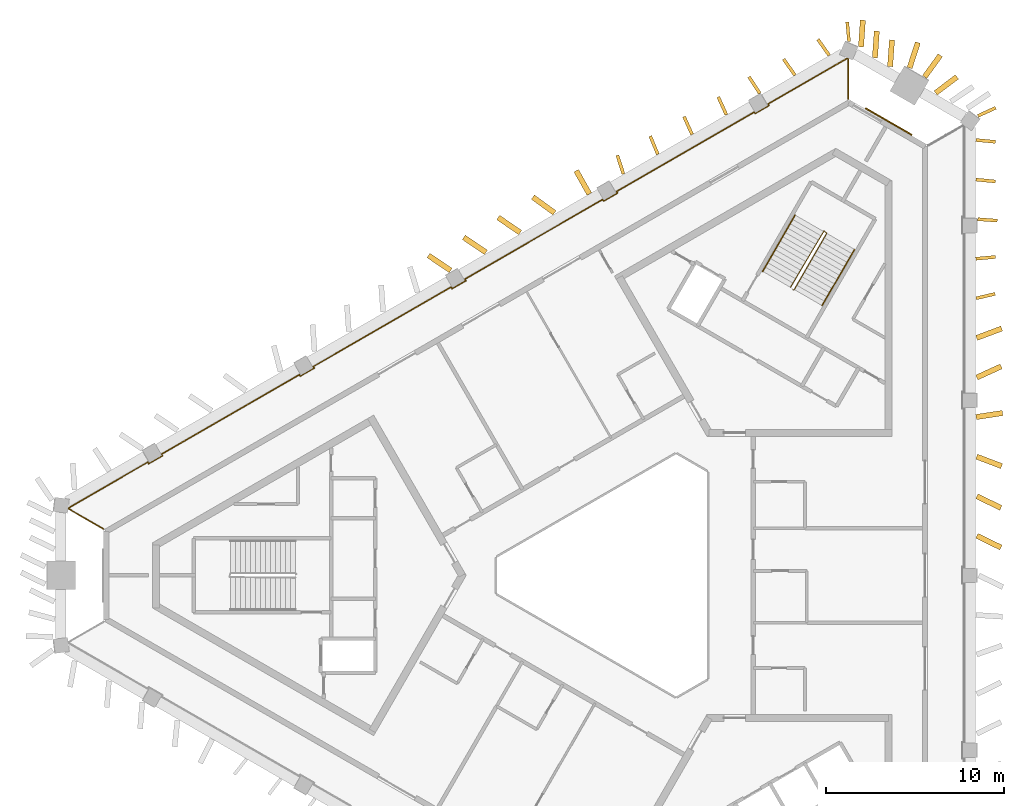
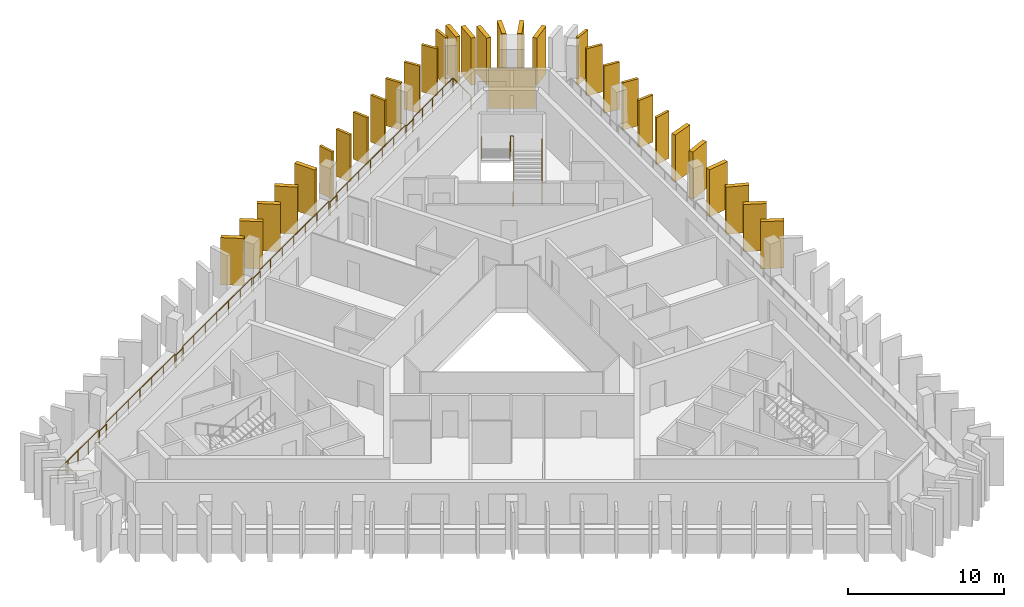
# One storey, part 9 of 10: 31 shading devices, 4 railings, 1 covering.
"""IFC4 building model written with IfcOpenShell, lengths in metres."""

from ifc_helpers import new_model, si_unit, direction, frame, frame_2d, origin, origin_2d, place, context, subcontext, project, spatial, rectangle, circle, extrude, material, layer, layer_set, type_object, element, save


model = new_model("IFC4")

# Units and contexts
model_context = context("Model", 3, precision=1e-05, world=origin(), true_north=direction((0.0, 1.0)))
body_context = subcontext(model_context, "Body", "Model", "MODEL_VIEW")
ifc_project = project(units=[si_unit("LENGTHUNIT", "METRE"), si_unit("AREAUNIT", "SQUARE_METRE"), si_unit("VOLUMEUNIT", "CUBIC_METRE"), si_unit("PLANEANGLEUNIT", "RADIAN"), si_unit("MASSUNIT", "GRAM", prefix="KILO")], contexts=[model_context])

# Site, building, storey
site_placement = place(None, origin())
site = spatial("IfcSite", under=ifc_project, at=site_placement, CompositionType="ELEMENT")
building_placement = place(site_placement, origin())
building = spatial("IfcBuilding", under=site, at=building_placement, Name="Jabali Bay Hotel Tower and Convention Centre", CompositionType="ELEMENT")
storey_placement = place(building_placement, frame((0.0, 0.0, 266.39990234375)))
storey = spatial("IfcBuildingStorey", under=building, at=storey_placement, Name="L65", CompositionType="ELEMENT", Elevation=266.39990234375)

# Railing
ifc_material_1 = material(Name="Glass", Category="glass")
railing_type_1 = type_object("IfcRailingType", Name="Loggia glass guard 1100", PredefinedType="BALUSTRADE", material=ifc_material_1)
railing_1_placement = place(storey_placement, frame((45.65673828125, 82.604736328125, 0.0)))
element("IfcRailing", 1, at=railing_1_placement, inside=storey, type_object=railing_type_1, Name="Loggia glass guard L65", PredefinedType="BALUSTRADE", context=body_context, shape_type="SweptSolid", body=[
    extrude(circle(Radius=0.02490234375, at=origin_2d()), frame((0.0, 0.0, 1.0751953125), z_axis=(-0.866035472144, 0.499982560684, 0.0), x_axis=(-0.495705140567, -0.858626418625, 0.13052619222)), (0.0, 0.0, 1.0), 2.27490234375),
    extrude(circle(Radius=0.02490234375, at=origin_2d()), frame((-1.97021484375, 1.137451171875, 1.0751953125), z_axis=(0.124034734589, 0.992277876714, 0.0), x_axis=(-0.983788801923, 0.12297360024, 0.13052619222)), (0.0, 0.0, 1.0), 0.037353515625),
    extrude(circle(Radius=0.02490234375, at=origin_2d()), frame((-1.965576171875, 1.174560546875, 1.0751953125), z_axis=(0.866023330383, 0.50000359122, 0.0), x_axis=(-0.495725991184, 0.858614380738, 0.13052619222)), (0.0, 0.0, 1.0), 5.13671875),
    extrude(circle(Radius=0.02490234375, at=origin_2d()), frame((2.48291015625, 3.742919921875, 1.0751953125), z_axis=(0.500074377092, -0.865982457891, 0.0), x_axis=(0.858573857916, 0.495796171473, 0.13052619222)), (0.0, 0.0, 1.0), 0.10009765625),
    extrude(circle(Radius=0.02490234375, at=origin_2d()), frame((2.532958984375, 3.65625, 1.0751953125), z_axis=(0.866081705922, 0.499902469156, 0.0), x_axis=(-0.495625734232, 0.858672256866, 0.13052619222)), (0.0, 0.0, 1.0), 0.900146484375),
    extrude(circle(Radius=0.02490234375, at=origin_2d()), frame((3.3125, 4.106201171875, 1.0751953125), z_axis=(-0.500074377092, 0.865982457891, 0.0), x_axis=(-0.858573857916, -0.495796171473, 0.13052619222)), (0.0, 0.0, 1.0), 0.10009765625),
    extrude(circle(Radius=0.02490234375, at=origin_2d()), frame((3.262451171875, 4.19287109375, 1.0751953125), z_axis=(0.866021023613, 0.500007586602, 0.0), x_axis=(-0.495729952384, 0.858612093703, 0.13052619222)), (0.0, 0.0, 1.0), 8.918701171875),
    extrude(circle(Radius=0.02490234375, at=origin_2d()), frame((10.986328125, 8.65234375, 1.0751953125), z_axis=(0.500074377092, -0.865982457891, 0.0), x_axis=(0.858573857916, 0.495796171473, 0.13052619222)), (0.0, 0.0, 1.0), 0.10009765625),
    extrude(circle(Radius=0.02490234375, at=origin_2d()), frame((11.036376953125, 8.565673828125, 1.0751953125), z_axis=(0.865964261186, 0.500105887137, 0.0), x_axis=(-0.495827411944, 0.858555816886, 0.13052619222)), (0.0, 0.0, 1.0), 0.900146484375),
    extrude(circle(Radius=0.02490234375, at=origin_2d()), frame((11.81591796875, 9.015869140625, 1.0751953125), z_axis=(-0.501132629342, 0.865370491644, 0.0), x_axis=(-0.857967127125, -0.496845370228, 0.13052619222)), (0.0, 0.0, 1.0), 0.099853515625),
    extrude(circle(Radius=0.02490234375, at=origin_2d()), frame((11.765869140625, 9.102294921875, 1.0751953125), z_axis=(0.866027866997, 0.499995733566, 0.0), x_axis=(-0.495718200753, 0.858618878541, 0.13052619222)), (0.0, 0.0, 1.0), 8.9189453125),
    extrude(circle(Radius=0.02490234375, at=origin_2d()), frame((19.489990234375, 13.561767578125, 1.0751953125), z_axis=(0.4982416694, -0.867038199201, 0.0), x_axis=(0.859620567213, 0.493979142849, 0.13052619222)), (0.0, 0.0, 1.0), 0.099853515625),
    extrude(circle(Radius=0.02490234375, at=origin_2d()), frame((19.539794921875, 13.47509765625, 1.0751953125), z_axis=(0.865964261186, 0.500105887137, 0.0), x_axis=(-0.495827411944, 0.858555816886, 0.13052619222)), (0.0, 0.0, 1.0), 0.900146484375),
    extrude(circle(Radius=0.02490234375, at=origin_2d()), frame((20.3193359375, 13.92529296875, 1.0751953125), z_axis=(-0.501132629342, 0.865370491644, 0.0), x_axis=(-0.857967127125, -0.496845370228, 0.13052619222)), (0.0, 0.0, 1.0), 0.099853515625),
    extrude(circle(Radius=0.02490234375, at=origin_2d()), frame((20.269287109375, 14.01171875, 1.0751953125), z_axis=(0.866027866997, 0.499995733566, 0.0), x_axis=(-0.495718200753, 0.858618878541, 0.13052619222)), (0.0, 0.0, 1.0), 8.9189453125),
    extrude(circle(Radius=0.02490234375, at=origin_2d()), frame((27.993408203125, 18.47119140625, 1.0751953125), z_axis=(0.499298623879, -0.866429964967, 0.0), x_axis=(0.859017536507, 0.495027054936, 0.13052619222)), (0.0, 0.0, 1.0), 0.099853515625),
    extrude(circle(Radius=0.02490234375, at=origin_2d()), frame((28.043212890625, 18.384765625, 1.0751953125), z_axis=(0.866081705922, 0.499902469156, 0.0), x_axis=(-0.495625734232, 0.858672256866, 0.13052619222)), (0.0, 0.0, 1.0), 0.900146484375),
    extrude(circle(Radius=0.02490234375, at=origin_2d()), frame((28.82275390625, 18.834716796875, 1.0751953125), z_axis=(-0.500074377092, 0.865982457891, 0.0), x_axis=(-0.858573857916, -0.495796171473, 0.13052619222)), (0.0, 0.0, 1.0), 0.10009765625),
    extrude(circle(Radius=0.02490234375, at=origin_2d()), frame((28.772705078125, 18.92138671875, 1.0751953125), z_axis=(0.866039719717, 0.499975203257, 0.0), x_axis=(-0.495697846083, 0.858630629859, 0.13052619222)), (0.0, 0.0, 1.0), 8.9189453125),
    extrude(circle(Radius=0.02490234375, at=origin_2d()), frame((36.496826171875, 23.380615234375, 1.0751953125), z_axis=(0.499298623879, -0.866429964967, 0.0), x_axis=(0.859017536507, 0.495027054936, 0.13052619222)), (0.0, 0.0, 1.0), 0.099853515625),
    extrude(circle(Radius=0.02490234375, at=origin_2d()), frame((36.546630859375, 23.294189453125, 1.0751953125), z_axis=(0.866081705922, 0.499902469156, 0.0), x_axis=(-0.495625734232, 0.858672256866, 0.13052619222)), (0.0, 0.0, 1.0), 0.900146484375),
    extrude(circle(Radius=0.02490234375, at=origin_2d()), frame((37.326171875, 23.744140625, 1.0751953125), z_axis=(-0.500074377092, 0.865982457891, 0.0), x_axis=(-0.858573857916, -0.495796171473, 0.13052619222)), (0.0, 0.0, 1.0), 0.10009765625),
    extrude(circle(Radius=0.02490234375, at=origin_2d()), frame((37.276123046875, 23.830810546875, 1.0751953125), z_axis=(0.866035212034, 0.499983011228, 0.0), x_axis=(-0.495705587256, 0.85862616074, 0.13052619222)), (0.0, 0.0, 1.0), 5.136962890625),
    extrude(circle(Radius=0.02490234375, at=origin_2d()), frame((41.724853515625, 26.399169921875, 1.0751953125), z_axis=(0.920154635629, -0.391555164097, 0.0), x_axis=(0.388205355389, 0.912282585163, 0.13052619222)), (0.0, 0.0, 1.0), 0.037353515625),
    extrude(circle(Radius=0.02490234375, at=origin_2d()), frame((41.75927734375, 26.384521484375, 1.0751953125), z_axis=(0.0, -1.0, 0.0), x_axis=(0.991444861374, 0.0, 0.13052619222)), (0.0, 0.0, 1.0), 2.27490234375),
    extrude(circle(Radius=0.02001953125, at=origin_2d()), origin(), (0.0, 0.0, 1.0), 1.050048828125),
    extrude(circle(Radius=0.02001953125, at=origin_2d()), frame((-0.985107421875, 0.56884765625, 0.0)), (0.0, 0.0, 1.0), 1.050048828125),
    extrude(circle(Radius=0.02001953125, at=origin_2d()), frame((-1.97021484375, 1.137451171875, 0.0)), (0.0, 0.0, 1.0), 1.050048828125),
    extrude(circle(Radius=0.02001953125, at=origin_2d()), frame((-1.965576171875, 1.174560546875, 0.0)), (0.0, 0.0, 1.0), 1.050048828125),
    extrude(circle(Radius=0.02001953125, at=origin_2d()), frame((-0.853515625, 1.816650390625, 0.0)), (0.0, 0.0, 1.0), 1.050048828125),
    extrude(circle(Radius=0.02001953125, at=origin_2d()), frame((0.2587890625, 2.458740234375, 0.0)), (0.0, 0.0, 1.0), 1.050048828125),
    extrude(circle(Radius=0.02001953125, at=origin_2d()), frame((1.370849609375, 3.100830078125, 0.0)), (0.0, 0.0, 1.0), 1.050048828125),
    extrude(circle(Radius=0.02001953125, at=origin_2d()), frame((2.48291015625, 3.742919921875, 0.0)), (0.0, 0.0, 1.0), 1.050048828125),
    extrude(circle(Radius=0.02001953125, at=origin_2d()), frame((2.532958984375, 3.65625, 0.0)), (0.0, 0.0, 1.0), 1.050048828125),
    extrude(circle(Radius=0.02001953125, at=origin_2d()), frame((3.3125, 4.106201171875, 0.0)), (0.0, 0.0, 1.0), 1.050048828125),
    extrude(circle(Radius=0.02001953125, at=origin_2d()), frame((3.262451171875, 4.19287109375, 0.0)), (0.0, 0.0, 1.0), 1.050048828125),
    extrude(circle(Radius=0.02001953125, at=origin_2d()), frame((4.5498046875, 4.93603515625, 0.0)), (0.0, 0.0, 1.0), 1.050048828125),
    extrude(circle(Radius=0.02001953125, at=origin_2d()), frame((5.837158203125, 5.679443359375, 0.0)), (0.0, 0.0, 1.0), 1.050048828125),
    extrude(circle(Radius=0.02001953125, at=origin_2d()), frame((7.12451171875, 6.422607421875, 0.0)), (0.0, 0.0, 1.0), 1.050048828125),
    extrude(circle(Radius=0.02001953125, at=origin_2d()), frame((8.41162109375, 7.165771484375, 0.0)), (0.0, 0.0, 1.0), 1.050048828125),
    extrude(circle(Radius=0.02001953125, at=origin_2d()), frame((9.698974609375, 7.9091796875, 0.0)), (0.0, 0.0, 1.0), 1.050048828125),
    extrude(circle(Radius=0.02001953125, at=origin_2d()), frame((10.986328125, 8.65234375, 0.0)), (0.0, 0.0, 1.0), 1.050048828125),
    extrude(circle(Radius=0.02001953125, at=origin_2d()), frame((11.036376953125, 8.565673828125, 0.0)), (0.0, 0.0, 1.0), 1.050048828125),
    extrude(circle(Radius=0.02001953125, at=origin_2d()), frame((11.81591796875, 9.015869140625, 0.0)), (0.0, 0.0, 1.0), 1.050048828125),
    extrude(circle(Radius=0.02001953125, at=origin_2d()), frame((11.765869140625, 9.102294921875, 0.0)), (0.0, 0.0, 1.0), 1.050048828125),
    extrude(circle(Radius=0.02001953125, at=origin_2d()), frame((13.05322265625, 9.845458984375, 0.0)), (0.0, 0.0, 1.0), 1.050048828125),
    extrude(circle(Radius=0.02001953125, at=origin_2d()), frame((14.340576171875, 10.5888671875, 0.0)), (0.0, 0.0, 1.0), 1.050048828125),
    extrude(circle(Radius=0.02001953125, at=origin_2d()), frame((15.6279296875, 11.33203125, 0.0)), (0.0, 0.0, 1.0), 1.050048828125),
    extrude(circle(Radius=0.02001953125, at=origin_2d()), frame((16.915283203125, 12.0751953125, 0.0)), (0.0, 0.0, 1.0), 1.050048828125),
    extrude(circle(Radius=0.02001953125, at=origin_2d()), frame((18.20263671875, 12.818603515625, 0.0)), (0.0, 0.0, 1.0), 1.050048828125),
    extrude(circle(Radius=0.02001953125, at=origin_2d()), frame((19.489990234375, 13.561767578125, 0.0)), (0.0, 0.0, 1.0), 1.050048828125),
    extrude(circle(Radius=0.02001953125, at=origin_2d()), frame((19.539794921875, 13.47509765625, 0.0)), (0.0, 0.0, 1.0), 1.050048828125),
    extrude(circle(Radius=0.02001953125, at=origin_2d()), frame((20.3193359375, 13.92529296875, 0.0)), (0.0, 0.0, 1.0), 1.050048828125),
    extrude(circle(Radius=0.02001953125, at=origin_2d()), frame((20.269287109375, 14.01171875, 0.0)), (0.0, 0.0, 1.0), 1.050048828125),
    extrude(circle(Radius=0.02001953125, at=origin_2d()), frame((21.556640625, 14.7548828125, 0.0)), (0.0, 0.0, 1.0), 1.050048828125),
    extrude(circle(Radius=0.02001953125, at=origin_2d()), frame((22.843994140625, 15.498291015625, 0.0)), (0.0, 0.0, 1.0), 1.050048828125),
    extrude(circle(Radius=0.02001953125, at=origin_2d()), frame((24.13134765625, 16.241455078125, 0.0)), (0.0, 0.0, 1.0), 1.050048828125),
    extrude(circle(Radius=0.02001953125, at=origin_2d()), frame((25.418701171875, 16.984619140625, 0.0)), (0.0, 0.0, 1.0), 1.050048828125),
    extrude(circle(Radius=0.02001953125, at=origin_2d()), frame((26.7060546875, 17.72802734375, 0.0)), (0.0, 0.0, 1.0), 1.050048828125),
    extrude(circle(Radius=0.02001953125, at=origin_2d()), frame((27.993408203125, 18.47119140625, 0.0)), (0.0, 0.0, 1.0), 1.050048828125),
    extrude(circle(Radius=0.02001953125, at=origin_2d()), frame((28.043212890625, 18.384765625, 0.0)), (0.0, 0.0, 1.0), 1.050048828125),
    extrude(circle(Radius=0.02001953125, at=origin_2d()), frame((28.82275390625, 18.834716796875, 0.0)), (0.0, 0.0, 1.0), 1.050048828125),
    extrude(circle(Radius=0.02001953125, at=origin_2d()), frame((28.772705078125, 18.92138671875, 0.0)), (0.0, 0.0, 1.0), 1.050048828125),
    extrude(circle(Radius=0.02001953125, at=origin_2d()), frame((30.06005859375, 19.66455078125, 0.0)), (0.0, 0.0, 1.0), 1.050048828125),
    extrude(circle(Radius=0.02001953125, at=origin_2d()), frame((31.347412109375, 20.40771484375, 0.0)), (0.0, 0.0, 1.0), 1.050048828125),
    extrude(circle(Radius=0.02001953125, at=origin_2d()), frame((32.634765625, 21.15087890625, 0.0)), (0.0, 0.0, 1.0), 1.050048828125),
    extrude(circle(Radius=0.02001953125, at=origin_2d()), frame((33.922119140625, 21.894287109375, 0.0)), (0.0, 0.0, 1.0), 1.050048828125),
    extrude(circle(Radius=0.02001953125, at=origin_2d()), frame((35.20947265625, 22.637451171875, 0.0)), (0.0, 0.0, 1.0), 1.050048828125),
    extrude(circle(Radius=0.02001953125, at=origin_2d()), frame((36.496826171875, 23.380615234375, 0.0)), (0.0, 0.0, 1.0), 1.050048828125),
    extrude(circle(Radius=0.02001953125, at=origin_2d()), frame((36.546630859375, 23.294189453125, 0.0)), (0.0, 0.0, 1.0), 1.050048828125),
    extrude(circle(Radius=0.02001953125, at=origin_2d()), frame((37.326171875, 23.744140625, 0.0)), (0.0, 0.0, 1.0), 1.050048828125),
    extrude(circle(Radius=0.02001953125, at=origin_2d()), frame((37.276123046875, 23.830810546875, 0.0)), (0.0, 0.0, 1.0), 1.050048828125),
    extrude(circle(Radius=0.02001953125, at=origin_2d()), frame((38.38818359375, 24.472900390625, 0.0)), (0.0, 0.0, 1.0), 1.050048828125),
    extrude(circle(Radius=0.02001953125, at=origin_2d()), frame((39.50048828125, 25.114990234375, 0.0)), (0.0, 0.0, 1.0), 1.050048828125),
    extrude(circle(Radius=0.02001953125, at=origin_2d()), frame((40.61279296875, 25.757080078125, 0.0)), (0.0, 0.0, 1.0), 1.050048828125),
    extrude(circle(Radius=0.02001953125, at=origin_2d()), frame((41.724853515625, 26.399169921875, 0.0)), (0.0, 0.0, 1.0), 1.050048828125),
    extrude(circle(Radius=0.02001953125, at=origin_2d()), frame((41.75927734375, 26.384521484375, 0.0)), (0.0, 0.0, 1.0), 1.050048828125),
    extrude(circle(Radius=0.02001953125, at=origin_2d()), frame((41.75927734375, 25.2470703125, 0.0)), (0.0, 0.0, 1.0), 1.050048828125),
    extrude(circle(Radius=0.02001953125, at=origin_2d()), frame((41.75927734375, 24.109619140625, 0.0)), (0.0, 0.0, 1.0), 1.050048828125),
])

# Shading devices
ifc_material_2 = material(Name="Precast concrete C60", Category="concrete")
ifc_layer_1 = layer(ifc_material_2, 0.179931640625)
ifc_layer_set_1 = layer_set([ifc_layer_1], Name="Precast concrete C60")
shading_device_type_1 = type_object("IfcShadingDeviceType", Name="Precast fin 3680 x 1100", PredefinedType="USERDEFINED", material=ifc_layer_set_1)
for number, where, z_axis, x_axis, name in (
    (2, (94.59033203125, 95.536376953125, 0.010009765625), (0.0, 0.0, 1.0), (0.973268543284, 0.229670073484, 0.0), "Fin L65 018"),
    (3, (94.577880859375, 97.755859375, 0.010009765625), (0.0, 0.0, 1.0), (0.995790707491, 0.091656242967, 0.0), "Fin L65 019"),
):
    element("IfcShadingDevice", number, at=place(storey_placement, frame(where, z_axis=z_axis, x_axis=x_axis)), inside=storey, type_object=shading_device_type_1, Name=name, ObjectType="FIN", PredefinedType="USERDEFINED", context=body_context, shape_type="SweptSolid", body=[
        extrude(rectangle(XDim=1.10009765625, YDim=0.179931640625, at=frame_2d((0.550048828125, 0.0))), origin(), (0.0, 0.0, 1.0), 3.68017578125),
    ])
shading_device_1_placement = place(storey_placement, frame((94.68408203125, 99.975341796875, 0.010009765625), z_axis=(0.0, 0.0, 1.0), x_axis=(0.997080541598, -0.076357013871, 0.0)))
element("IfcShadingDevice", 4, at=shading_device_1_placement, inside=storey, type_object=shading_device_type_1, Name="Fin L65 020", ObjectType="FIN", PredefinedType="USERDEFINED", context=body_context, shape_type="SweptSolid", body=[
    extrude(rectangle(XDim=1.099853515625, YDim=0.179931640625, at=frame_2d((0.5498046875, 0.0))), origin(), (0.0, 0.0, 1.0), 3.68017578125),
])
shading_device_2_placement = place(storey_placement, frame((94.578369140625, 102.195068359375, 0.010009765625), z_axis=(0.0, 0.0, 1.0), x_axis=(0.995393156894, -0.095877334176, 0.0)))
element("IfcShadingDevice", 5, at=shading_device_2_placement, inside=storey, type_object=shading_device_type_1, Name="Fin L65 021", ObjectType="FIN", PredefinedType="USERDEFINED", context=body_context, shape_type="SweptSolid", body=[
    extrude(rectangle(XDim=1.10009765625, YDim=0.179931640625, at=frame_2d((0.550048828125, 0.0))), origin(), (0.0, 0.0, 1.0), 3.68017578125),
])
shading_device_3_placement = place(storey_placement, frame((94.578125, 104.41455078125, 0.010009765625), z_axis=(0.0, 0.0, 1.0), x_axis=(0.995686922916, -0.092776891168, 0.0)))
element("IfcShadingDevice", 6, at=shading_device_3_placement, inside=storey, type_object=shading_device_type_1, Name="Fin L65 022", ObjectType="FIN", PredefinedType="USERDEFINED", context=body_context, shape_type="SweptSolid", body=[
    extrude(rectangle(XDim=1.099853515625, YDim=0.179931640625, at=frame_2d((0.5498046875, 0.0))), origin(), (0.0, 0.0, 1.0), 3.68017578125),
])
for number, where, z_axis, x_axis, name in (
    (7, (86.3544921875, 109.162109375, 0.010009765625), (0.0, 0.0, 1.0), (-0.576779035858, 0.816900204306, 0.0), "Fin L65 031"),
    (8, (84.432373046875, 108.052490234375, 0.010009765625), (0.0, 0.0, 1.0), (-0.577031680865, 0.816721763686, 0.0), "Fin L65 032"),
):
    element("IfcShadingDevice", number, at=place(storey_placement, frame(where, z_axis=z_axis, x_axis=x_axis)), inside=storey, type_object=shading_device_type_1, Name=name, ObjectType="FIN", PredefinedType="USERDEFINED", context=body_context, shape_type="SweptSolid", body=[
        extrude(rectangle(XDim=1.10009765625, YDim=0.179931640625, at=frame_2d((0.550048828125, 0.0))), origin(), (0.0, 0.0, 1.0), 3.68017578125),
    ])
for number, where, z_axis, x_axis, name in (
    (9, (82.458251953125, 107.03271484375, 0.010009765625), (0.0, 0.0, 1.0), (-0.544051752089, 0.839051661728, 0.0), "Fin L65 033"),
    (10, (80.587890625, 105.833251953125, 0.010009765625), (0.0, 0.0, 1.0), (-0.415507960568, 0.909589541884, 0.0), "Fin L65 034"),
):
    element("IfcShadingDevice", number, at=place(storey_placement, frame(where, z_axis=z_axis, x_axis=x_axis)), inside=storey, type_object=shading_device_type_1, Name=name, ObjectType="FIN", PredefinedType="USERDEFINED", context=body_context, shape_type="SweptSolid", body=[
        extrude(rectangle(XDim=1.099853515625, YDim=0.179931640625, at=frame_2d((0.5498046875, 0.0))), origin(), (0.0, 0.0, 1.0), 3.68017578125),
    ])
shading_device_4_placement = place(storey_placement, frame((78.66552734375, 104.72412109375, 0.010009765625), z_axis=(0.0, 0.0, 1.0), x_axis=(-0.408546094199, 0.912737688996, 0.0)))
element("IfcShadingDevice", 11, at=shading_device_4_placement, inside=storey, type_object=shading_device_type_1, Name="Fin L65 035", ObjectType="FIN", PredefinedType="USERDEFINED", context=body_context, shape_type="SweptSolid", body=[
    extrude(rectangle(XDim=1.10009765625, YDim=0.179931640625, at=frame_2d((0.550048828125, 0.0))), origin(), (0.0, 0.0, 1.0), 3.68017578125),
])
shading_device_5_placement = place(storey_placement, frame((76.7421875, 103.616455078125, 0.010009765625), z_axis=(0.0, 0.0, 1.0), x_axis=(-0.384442009337, 0.923149143669, 0.0)))
element("IfcShadingDevice", 12, at=shading_device_5_placement, inside=storey, type_object=shading_device_type_1, Name="Fin L65 036", ObjectType="FIN", PredefinedType="USERDEFINED", context=body_context, shape_type="SweptSolid", body=[
    extrude(rectangle(XDim=1.099853515625, YDim=0.179931640625, at=frame_2d((0.5498046875, 0.0))), origin(), (0.0, 0.0, 1.0), 3.68017578125),
])
shading_device_6_placement = place(storey_placement, frame((74.816650390625, 102.512451171875, 0.010009765625), z_axis=(0.0, 0.0, 1.0), x_axis=(-0.312430800017, 0.949940521928, 0.0)))
element("IfcShadingDevice", 13, at=shading_device_6_placement, inside=storey, type_object=shading_device_type_1, Name="Fin L65 037", ObjectType="FIN", PredefinedType="USERDEFINED", context=body_context, shape_type="SweptSolid", body=[
    extrude(rectangle(XDim=1.100341796875, YDim=0.179931640625, at=frame_2d((0.55029296875, 0.0))), origin(), (0.0, 0.0, 1.0), 3.68017578125),
])
shading_device_7_placement = place(storey_placement, frame((94.693359375, 105.764404296875, 0.010009765625), z_axis=(0.0, 0.0, 1.0), x_axis=(0.908348813049, 0.418213383134, 0.0)))
element("IfcShadingDevice", 14, at=shading_device_7_placement, inside=storey, type_object=shading_device_type_1, Name="Fin L65 094", ObjectType="FIN", PredefinedType="USERDEFINED", context=body_context, shape_type="SweptSolid", body=[
    extrude(rectangle(XDim=1.099853515625, YDim=0.179931640625, at=frame_2d((0.5498046875, 0.0))), origin(), (0.0, 0.0, 1.0), 3.68017578125),
])
shading_device_8_placement = place(storey_placement, frame((87.4658203125, 109.93701171875, 0.010009765625), z_axis=(0.0, 0.0, 1.0), x_axis=(-0.090995991991, 0.995851258694, 0.0)))
element("IfcShadingDevice", 15, at=shading_device_8_placement, inside=storey, type_object=shading_device_type_1, Name="Fin L65 095", ObjectType="FIN", PredefinedType="USERDEFINED", context=body_context, shape_type="SweptSolid", body=[
    extrude(rectangle(XDim=1.10009765625, YDim=0.179931640625, at=frame_2d((0.550048828125, 0.0))), origin(), (0.0, 0.0, 1.0), 3.68017578125),
])
ifc_layer_2 = layer(ifc_material_2, 0.300048828125)
ifc_layer_set_2 = layer_set([ifc_layer_2], Name="Precast concrete C60")
shading_device_type_2 = type_object("IfcShadingDeviceType", Name="Precast fin 3680 x 1500", PredefinedType="USERDEFINED", material=ifc_layer_set_2)
for number, where, z_axis, x_axis, name in (
    (16, (94.635498046875, 82.219482421875, 0.010009765625), (0.0, 0.0, 1.0), (0.899129499022, -0.43768269784, 0.0), "Fin L65 012"),
    (17, (94.63525390625, 84.43896484375, 0.010009765625), (0.0, 0.0, 1.0), (0.89928872882, -0.437355441509, 0.0), "Fin L65 013"),
):
    element("IfcShadingDevice", number, at=place(storey_placement, frame(where, z_axis=z_axis, x_axis=x_axis)), inside=storey, type_object=shading_device_type_2, Name=name, ObjectType="FIN", PredefinedType="USERDEFINED", context=body_context, shape_type="SweptSolid", body=[
        extrude(rectangle(XDim=1.5, YDim=0.300048828125, at=frame_2d((0.75, 0.0))), origin(), (0.0, 0.0, 1.0), 3.68017578125),
    ])
shading_device_9_placement = place(storey_placement, frame((94.623046875, 86.658447265625, 0.010009765625), z_axis=(0.0, 0.0, 1.0), x_axis=(0.93503847022, -0.354546272309, 0.0)))
element("IfcShadingDevice", 18, at=shading_device_9_placement, inside=storey, type_object=shading_device_type_2, Name="Fin L65 014", ObjectType="FIN", PredefinedType="USERDEFINED", context=body_context, shape_type="SweptSolid", body=[
    extrude(rectangle(XDim=1.499755859375, YDim=0.300048828125, at=frame_2d((0.75, 0.0))), origin(), (0.0, 0.0, 1.0), 3.68017578125),
])
for number, where, z_axis, x_axis, name in (
    (19, (94.592529296875, 88.8779296875, 0.010009765625), (0.0, 0.0, 1.0), (0.988501176847, 0.151213171956, 0.0), "Fin L65 015"),
    (20, (94.632080078125, 91.097412109375, 0.010009765625), (0.0, 0.0, 1.0), (0.909869717116, 0.414894080309, 0.0), "Fin L65 016"),
):
    element("IfcShadingDevice", number, at=place(storey_placement, frame(where, z_axis=z_axis, x_axis=x_axis)), inside=storey, type_object=shading_device_type_2, Name=name, ObjectType="FIN", PredefinedType="USERDEFINED", context=body_context, shape_type="SweptSolid", body=[
        extrude(rectangle(XDim=1.5, YDim=0.300048828125, at=frame_2d((0.75, 0.0))), origin(), (0.0, 0.0, 1.0), 3.68017578125),
    ])
shading_device_10_placement = place(storey_placement, frame((94.622314453125, 93.31689453125, 0.010009765625), z_axis=(0.0, 0.0, 1.0), x_axis=(0.936422777192, 0.350873741332, 0.0)))
element("IfcShadingDevice", 21, at=shading_device_10_placement, inside=storey, type_object=shading_device_type_2, Name="Fin L65 017", ObjectType="FIN", PredefinedType="USERDEFINED", context=body_context, shape_type="SweptSolid", body=[
    extrude(rectangle(XDim=1.500244140625, YDim=0.300048828125, at=frame_2d((0.75, 0.0))), origin(), (0.0, 0.0, 1.0), 3.68017578125),
])
for number, where, z_axis, x_axis, name in (
    (22, (92.321533203125, 107.05224609375, 0.010009765625), (0.0, 0.0, 1.0), (0.79868946396, 0.601743417213, 0.0), "Fin L65 025"),
    (23, (91.704833984375, 107.950439453125, 0.010009765625), (0.0, 0.0, 1.0), (0.586399358038, 0.810022094076, 0.0), "Fin L65 026"),
    (24, (90.861328125, 108.45556640625, 0.010009765625), (0.0, 0.0, 1.0), (0.309089752708, 0.951032872603, 0.0), "Fin L65 027"),
    (25, (89.770751953125, 108.532958984375, 0.010009765625), (0.0, 0.0, 1.0), (0.070472092405, 0.99751375138, 0.0), "Fin L65 028"),
):
    element("IfcShadingDevice", number, at=place(storey_placement, frame(where, z_axis=z_axis, x_axis=x_axis)), inside=storey, type_object=shading_device_type_2, Name=name, ObjectType="FIN", PredefinedType="USERDEFINED", context=body_context, shape_type="SweptSolid", body=[
        extrude(rectangle(XDim=1.5, YDim=0.300048828125, at=frame_2d((0.75, 0.0))), origin(), (0.0, 0.0, 1.0), 3.68017578125),
    ])
for number, where, z_axis, x_axis, name in (
    (26, (88.919189453125, 109.024658203125, 0.010009765625), (0.0, 0.0, 1.0), (0.070645503354, 0.99750148514, 0.0), "Fin L65 029"),
    (27, (88.13818359375, 109.63818359375, 0.010009765625), (0.0, 0.0, 1.0), (0.070645503354, 0.99750148514, 0.0), "Fin L65 030"),
):
    element("IfcShadingDevice", number, at=place(storey_placement, frame(where, z_axis=z_axis, x_axis=x_axis)), inside=storey, type_object=shading_device_type_2, Name=name, ObjectType="FIN", PredefinedType="USERDEFINED", context=body_context, shape_type="SweptSolid", body=[
        extrude(rectangle(XDim=1.499755859375, YDim=0.300048828125, at=frame_2d((0.75, 0.0))), origin(), (0.0, 0.0, 1.0), 3.68017578125),
    ])
for number, where, z_axis, x_axis, name in (
    (28, (72.90283203125, 101.38818359375, 0.010009765625), (0.0, 0.0, 1.0), (-0.491064718016, 0.871123092749, 0.0), "Fin L65 038"),
    (29, (70.951171875, 100.329833984375, 0.010009765625), (0.0, 0.0, 1.0), (-0.808855709071, 0.588007178445, 0.0), "Fin L65 039"),
    (30, (69.027099609375, 99.223388671875, 0.010009765625), (0.0, 0.0, 1.0), (-0.824231839999, 0.566252482495, 0.0), "Fin L65 040"),
    (31, (67.1044921875, 98.1142578125, 0.010009765625), (0.0, 0.0, 1.0), (-0.827667492043, 0.561218783199, 0.0), "Fin L65 041"),
    (32, (65.128662109375, 97.097900390625, 0.010009765625), (0.0, 0.0, 1.0), (-0.828452221688, 0.560059743581, 0.0), "Fin L65 042"),
):
    element("IfcShadingDevice", number, at=place(storey_placement, frame(where, z_axis=z_axis, x_axis=x_axis)), inside=storey, type_object=shading_device_type_2, Name=name, ObjectType="FIN", PredefinedType="USERDEFINED", context=body_context, shape_type="SweptSolid", body=[
        extrude(rectangle(XDim=1.5, YDim=0.300048828125, at=frame_2d((0.75, 0.0))), origin(), (0.0, 0.0, 1.0), 3.68017578125),
    ])

# Covering
ifc_material_3 = material(Name="Precast concrete C40/50", Category="concrete")
ifc_layer_3 = layer(ifc_material_3, 0.080078125)
ifc_layer_set_3 = layer_set([ifc_layer_3], Name="Precast concrete C40/50")
covering_type = type_object("IfcCoveringType", Name="Relief panel 3000 x 3100", PredefinedType="CLADDING", material=ifc_layer_set_3)
covering_placement = place(storey_placement, frame((89.691650390625, 105.44677734375, 0.10009765625), z_axis=(0.0, 0.0, 1.0), x_axis=(0.86602542465, -0.49999996386, 0.0)))
element("IfcCovering", 33, at=covering_placement, inside=storey, type_object=covering_type, Name="Relief panel L65", PredefinedType="CLADDING", context=body_context, shape_type="SweptSolid", body=[
    extrude(rectangle(XDim=3.0, YDim=0.080078125, at=origin_2d()), origin(), (0.0, 0.0, 1.0), 3.10009765625),
])

# Railings
ifc_material_4 = material(Name="Steel Q355B", Category="steel")
railing_type_2 = type_object("IfcRailingType", Name="Stair guard 1100", PredefinedType="GUARDRAIL", material=ifc_material_4)
railing_2_placement = place(storey_placement, frame((84.329833984375, 96.010009765625, 0.0)))
element("IfcRailing", 34, at=railing_2_placement, inside=storey, type_object=railing_type_2, Name="L65 ST2 stair guard 1", PredefinedType="GUARDRAIL", context=body_context, shape_type="SweptSolid", body=[
    extrude(circle(Radius=0.02392578125, at=origin_2d()), frame((0.0, 0.0, 1.076171875), z_axis=(0.455547195254, 0.122021570157, 0.88180921367), x_axis=(-0.258736085224, 0.965948051503, 0.0)), (0.0, 0.0, 1.0), 0.150146484375),
    extrude(circle(Radius=0.02392578125, at=origin_2d()), frame((0.068359375, 0.018310546875, 1.20849609375), z_axis=(0.452190331055, 0.783190014029, 0.426775475427), x_axis=(-0.866018046521, 0.500012742938, 0.0)), (0.0, 0.0, 1.0), 4.02490234375),
    extrude(circle(Radius=0.02392578125, at=origin_2d()), frame((1.888427734375, 3.170654296875, 2.92626953125), z_axis=(-0.718850276695, 0.695164929852, 0.0), x_axis=(-0.695164929852, -0.718850276695, 0.0)), (0.0, 0.0, 1.0), 0.2060546875),
    extrude(circle(Radius=0.02392578125, at=origin_2d()), frame((1.740234375, 3.31396484375, 2.92626953125), z_axis=(-0.457445338502, -0.768046879266, 0.448160410493), x_axis=(0.859157857954, -0.511710636118, 0.0)), (0.0, 0.0, 1.0), 4.128173828125),
    extrude(circle(Radius=0.02099609375, at=origin_2d()), origin(), (0.0, 0.0, 1.0), 1.052001953125),
    extrude(circle(Radius=0.02099609375, at=origin_2d()), frame((0.068359375, 0.018310546875, 0.13232421875)), (0.0, 0.0, 1.0), 1.052001953125),
    extrude(circle(Radius=0.02099609375, at=origin_2d()), frame((0.5234375, 0.806396484375, 0.561767578125)), (0.0, 0.0, 1.0), 1.052001953125),
    extrude(circle(Radius=0.02099609375, at=origin_2d()), frame((0.978515625, 1.594482421875, 0.9912109375)), (0.0, 0.0, 1.0), 1.052001953125),
    extrude(circle(Radius=0.02099609375, at=origin_2d()), frame((1.433349609375, 2.382568359375, 1.420654296875)), (0.0, 0.0, 1.0), 1.052001953125),
    extrude(circle(Radius=0.02099609375, at=origin_2d()), frame((1.888427734375, 3.170654296875, 1.85009765625)), (0.0, 0.0, 1.0), 1.052001953125),
    extrude(circle(Radius=0.02099609375, at=origin_2d()), frame((1.740234375, 3.31396484375, 1.85009765625)), (0.0, 0.0, 1.0), 1.052001953125),
    extrude(circle(Radius=0.02099609375, at=origin_2d()), frame((1.26806640625, 2.521240234375, 2.3125)), (0.0, 0.0, 1.0), 1.052001953125),
    extrude(circle(Radius=0.02099609375, at=origin_2d()), frame((0.7958984375, 1.728515625, 2.775146484375)), (0.0, 0.0, 1.0), 1.052001953125),
    extrude(circle(Radius=0.02099609375, at=origin_2d()), frame((0.323974609375, 0.93603515625, 3.23779296875)), (0.0, 0.0, 1.0), 1.052001953125),
    extrude(circle(Radius=0.02099609375, at=origin_2d()), frame((-0.148193359375, 0.143310546875, 3.7001953125)), (0.0, 0.0, 1.0), 1.052001953125),
])
railing_type_3 = type_object("IfcRailingType", Name="Stair handrail 900", PredefinedType="HANDRAIL", material=ifc_material_4)
railing_3_placement = place(storey_placement, frame((85.95703125, 95.128173828125, 0.13232421875)))
element("IfcRailing", 35, at=railing_3_placement, inside=storey, type_object=railing_type_3, Name="L65 ST2 stair handrail 1", PredefinedType="HANDRAIL", context=body_context, shape_type="SweptSolid", body=[
    extrude(circle(Radius=0.02392578125, at=origin_2d()), frame((0.0, 0.0, 0.8759765625), z_axis=(0.452190331055, 0.783190014029, 0.426775475427), x_axis=(-0.866018046521, 0.500012742938, 0.0)), (0.0, 0.0, 1.0), 4.02490234375),
    extrude(circle(Radius=0.02099609375, at=origin_2d()), origin(), (0.0, 0.0, 1.0), 0.851806640625),
    extrude(circle(Radius=0.02099609375, at=origin_2d()), frame((0.455078125, 0.7880859375, 0.429443359375)), (0.0, 0.0, 1.0), 0.851806640625),
    extrude(circle(Radius=0.02099609375, at=origin_2d()), frame((0.91015625, 1.576171875, 0.85888671875)), (0.0, 0.0, 1.0), 0.851806640625),
    extrude(circle(Radius=0.02099609375, at=origin_2d()), frame((1.364990234375, 2.3642578125, 1.288330078125)), (0.0, 0.0, 1.0), 0.851806640625),
    extrude(circle(Radius=0.02099609375, at=origin_2d()), frame((1.820068359375, 3.15234375, 1.7177734375)), (0.0, 0.0, 1.0), 0.851806640625),
])
railing_4_placement = place(storey_placement, frame((84.44287109375, 100.20556640625, 1.982177734375)))
element("IfcRailing", 36, at=railing_4_placement, inside=storey, type_object=railing_type_3, Name="L65 ST2 stair handrail 2", PredefinedType="HANDRAIL", context=body_context, shape_type="SweptSolid", body=[
    extrude(circle(Radius=0.02392578125, at=origin_2d()), frame((0.0, 0.0, 0.8759765625), z_axis=(-0.45217862506, -0.783169739339, 0.426825081763), x_axis=(0.866018046521, -0.500012742938, 0.0)), (0.0, 0.0, 1.0), 4.025146484375),
    extrude(circle(Radius=0.02099609375, at=origin_2d()), origin(), (0.0, 0.0, 1.0), 0.851806640625),
    extrude(circle(Radius=0.02099609375, at=origin_2d()), frame((-0.455078125, -0.7880859375, 0.429443359375)), (0.0, 0.0, 1.0), 0.851806640625),
    extrude(circle(Radius=0.02099609375, at=origin_2d()), frame((-0.91015625, -1.576171875, 0.85888671875)), (0.0, 0.0, 1.0), 0.851806640625),
    extrude(circle(Radius=0.02099609375, at=origin_2d()), frame((-1.364990234375, -2.3642578125, 1.28857421875)), (0.0, 0.0, 1.0), 0.851806640625),
    extrude(circle(Radius=0.02099609375, at=origin_2d()), frame((-1.820068359375, -3.15234375, 1.718017578125)), (0.0, 0.0, 1.0), 0.851806640625),
])

save(model, "model.ifc")
